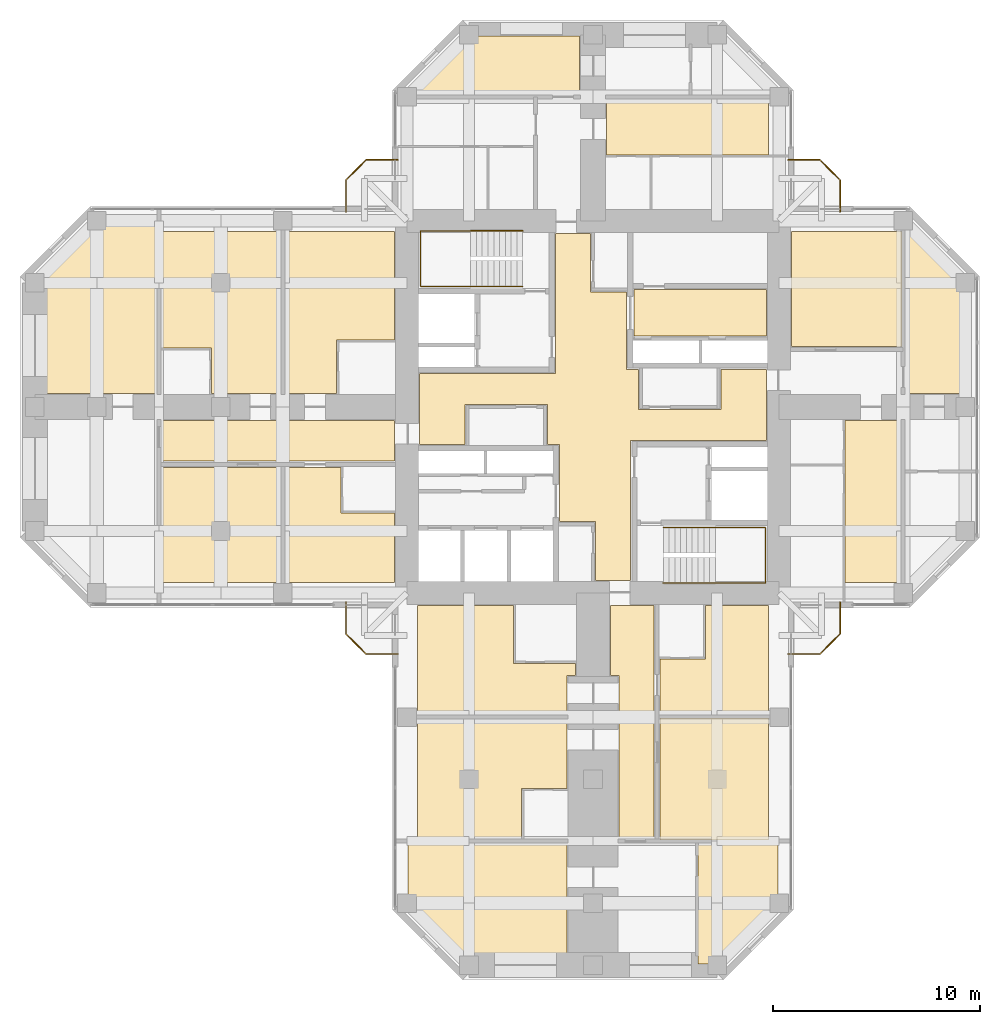
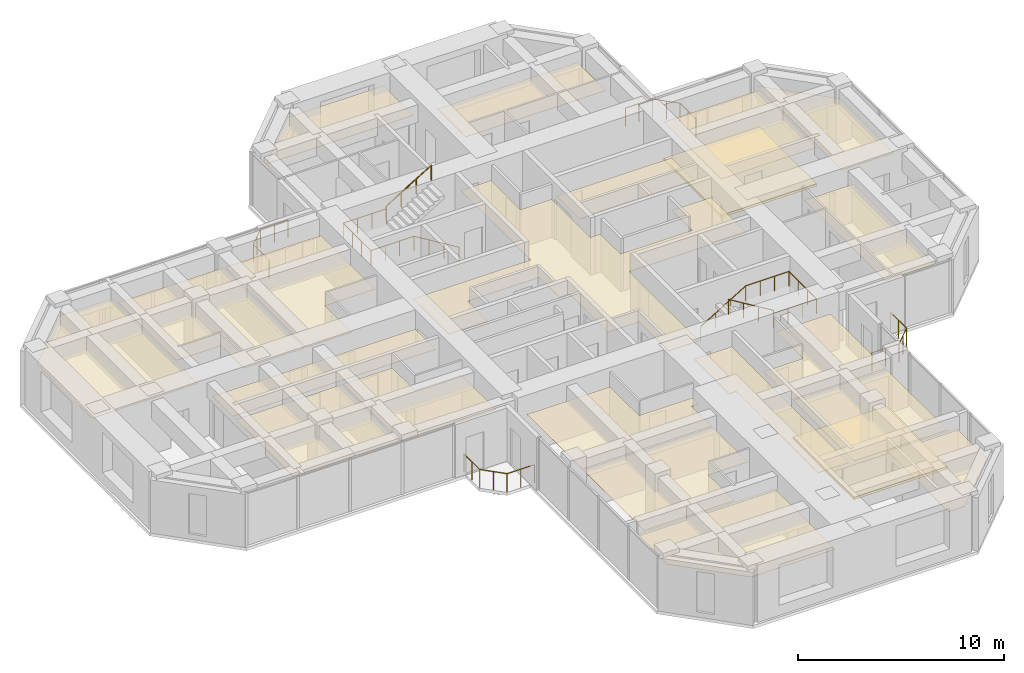
# One storey, part 14 of 14: 22 coverings, 8 railings.
"""IFC4 building model written with IfcOpenShell, lengths in metres."""

from ifc_helpers import new_model, si_unit, direction, frame, origin, origin_2d, place, context, subcontext, project, spatial, polyline, circle, outline, extrude, material, layer, layer_set, constituent, constituent_set, type_object, element, save


model = new_model("IFC4")

# Units and contexts
model_context = context("Model", 3, precision=1e-05, world=origin(), true_north=direction((0.0, 1.0)))
body_context = subcontext(model_context, "Body", "Model", "MODEL_VIEW")
ifc_project = project(units=[si_unit("LENGTHUNIT", "METRE"), si_unit("AREAUNIT", "SQUARE_METRE"), si_unit("VOLUMEUNIT", "CUBIC_METRE"), si_unit("PLANEANGLEUNIT", "RADIAN"), si_unit("MASSUNIT", "GRAM", prefix="KILO")], contexts=[model_context])

# Site, building, storey
site_placement = place(None, origin())
site = spatial("IfcSite", under=ifc_project, at=site_placement, CompositionType="ELEMENT")
building_placement = place(site_placement, origin())
building = spatial("IfcBuilding", under=site, at=building_placement, Name="Torre Cruceta", CompositionType="ELEMENT")
storey_placement = place(building_placement, frame((0.0, 0.0, 213.699951171875)))
storey = spatial("IfcBuildingStorey", under=building, at=storey_placement, Name="L54", CompositionType="ELEMENT", Elevation=213.699951171875)

# Railings
ifc_material_1 = material(Name="Stainless steel 1.4401", Category="steel")
ifc_constituent_1 = constituent(ifc_material_1, Name="Frame")
ifc_material_2 = material(Name="Laminated safety glass", Category="glass")
ifc_constituent_2 = constituent(ifc_material_2, Name="Infill")
ifc_constituent_set_1 = constituent_set(constituents=[ifc_constituent_1, ifc_constituent_2], Name="Stainless steel and laminated glass balustrade")
railing_type_1 = type_object("IfcRailingType", Name="BALCONY BALUSTRADE 1100", PredefinedType="BALUSTRADE", material=ifc_constituent_set_1)
railing_1_placement = place(storey_placement, frame((-9.449951171875, 11.949951171875, 0.0)))
element("IfcRailing", 1, at=railing_1_placement, inside=storey, type_object=railing_type_1, Name="BL1 balcony balustrade L54 N", PredefinedType="BALUSTRADE", context=body_context, shape_type="SweptSolid", body=[
    extrude(circle(Radius=0.02392578125, at=origin_2d()), frame((0.0, 0.0, 1.076171875), z_axis=(-1.0, 0.0, 0.0), x_axis=(0.0, -1.0, 0.0)), (0.0, 0.0, 1.0), 1.529296875),
    extrude(circle(Radius=0.02392578125, at=origin_2d()), frame((-1.529296875, 0.0, 1.076171875), z_axis=(-0.707106781187, -0.707106781187, 0.0), x_axis=(0.707106781187, -0.707106781187, 0.0)), (0.0, 0.0, 1.0), 1.372802734375),
    extrude(circle(Radius=0.02392578125, at=origin_2d()), frame((-2.5, -0.970703125, 1.076171875), z_axis=(0.0, -1.0, 0.0), x_axis=(1.0, 0.0, 0.0)), (0.0, 0.0, 1.0), 1.529296875),
    extrude(circle(Radius=0.02099609375, at=origin_2d()), origin(), (0.0, 0.0, 1.0), 1.052001953125),
    extrude(circle(Radius=0.02099609375, at=origin_2d()), frame((-0.7646484375, 0.0, 0.0)), (0.0, 0.0, 1.0), 1.052001953125),
    extrude(circle(Radius=0.02099609375, at=origin_2d()), frame((-1.529296875, 0.0, 0.0)), (0.0, 0.0, 1.0), 1.052001953125),
    extrude(circle(Radius=0.02099609375, at=origin_2d()), frame((-2.0146484375, -0.4853515625, 0.0)), (0.0, 0.0, 1.0), 1.052001953125),
    extrude(circle(Radius=0.02099609375, at=origin_2d()), frame((-2.5, -0.970703125, 0.0)), (0.0, 0.0, 1.0), 1.052001953125),
    extrude(circle(Radius=0.02099609375, at=origin_2d()), frame((-2.5, -1.7353515625, 0.0)), (0.0, 0.0, 1.0), 1.052001953125),
    extrude(circle(Radius=0.02099609375, at=origin_2d()), frame((-2.5, -2.5, 0.0)), (0.0, 0.0, 1.0), 1.052001953125),
])
railing_2_placement = place(storey_placement, frame((9.449951171875, 11.949951171875, 0.0)))
element("IfcRailing", 2, at=railing_2_placement, inside=storey, type_object=railing_type_1, Name="BL1 balcony balustrade L54 E", PredefinedType="BALUSTRADE", context=body_context, shape_type="SweptSolid", body=[
    extrude(circle(Radius=0.02392578125, at=origin_2d()), frame((0.0, 0.0, 1.076171875), z_axis=(1.0, 0.0, 0.0), x_axis=(0.0, 1.0, 0.0)), (0.0, 0.0, 1.0), 1.529296875),
    extrude(circle(Radius=0.02392578125, at=origin_2d()), frame((1.529296875, 0.0, 1.076171875), z_axis=(0.707106781187, -0.707106781187, 0.0), x_axis=(0.707106781187, 0.707106781187, 0.0)), (0.0, 0.0, 1.0), 1.372802734375),
    extrude(circle(Radius=0.02392578125, at=origin_2d()), frame((2.5, -0.970703125, 1.076171875), z_axis=(0.0, -1.0, 0.0), x_axis=(1.0, 0.0, 0.0)), (0.0, 0.0, 1.0), 1.529296875),
    extrude(circle(Radius=0.02099609375, at=origin_2d()), origin(), (0.0, 0.0, 1.0), 1.052001953125),
    extrude(circle(Radius=0.02099609375, at=origin_2d()), frame((0.7646484375, 0.0, 0.0)), (0.0, 0.0, 1.0), 1.052001953125),
    extrude(circle(Radius=0.02099609375, at=origin_2d()), frame((1.529296875, 0.0, 0.0)), (0.0, 0.0, 1.0), 1.052001953125),
    extrude(circle(Radius=0.02099609375, at=origin_2d()), frame((2.0146484375, -0.4853515625, 0.0)), (0.0, 0.0, 1.0), 1.052001953125),
    extrude(circle(Radius=0.02099609375, at=origin_2d()), frame((2.5, -0.970703125, 0.0)), (0.0, 0.0, 1.0), 1.052001953125),
    extrude(circle(Radius=0.02099609375, at=origin_2d()), frame((2.5, -1.7353515625, 0.0)), (0.0, 0.0, 1.0), 1.052001953125),
    extrude(circle(Radius=0.02099609375, at=origin_2d()), frame((2.5, -2.5, 0.0)), (0.0, 0.0, 1.0), 1.052001953125),
])
railing_3_placement = place(storey_placement, frame((9.449951171875, -11.949951171875, 0.0)))
element("IfcRailing", 3, at=railing_3_placement, inside=storey, type_object=railing_type_1, Name="BL1 balcony balustrade L54 S", PredefinedType="BALUSTRADE", context=body_context, shape_type="SweptSolid", body=[
    extrude(circle(Radius=0.02392578125, at=origin_2d()), frame((0.0, 0.0, 1.076171875), z_axis=(1.0, 0.0, 0.0), x_axis=(0.0, 1.0, 0.0)), (0.0, 0.0, 1.0), 1.529296875),
    extrude(circle(Radius=0.02392578125, at=origin_2d()), frame((1.529296875, 0.0, 1.076171875), z_axis=(0.707106781187, 0.707106781187, 0.0), x_axis=(-0.707106781187, 0.707106781187, 0.0)), (0.0, 0.0, 1.0), 1.372802734375),
    extrude(circle(Radius=0.02392578125, at=origin_2d()), frame((2.5, 0.970703125, 1.076171875), z_axis=(0.0, 1.0, 0.0), x_axis=(-1.0, 0.0, 0.0)), (0.0, 0.0, 1.0), 1.529296875),
    extrude(circle(Radius=0.02099609375, at=origin_2d()), origin(), (0.0, 0.0, 1.0), 1.052001953125),
    extrude(circle(Radius=0.02099609375, at=origin_2d()), frame((0.7646484375, 0.0, 0.0)), (0.0, 0.0, 1.0), 1.052001953125),
    extrude(circle(Radius=0.02099609375, at=origin_2d()), frame((1.529296875, 0.0, 0.0)), (0.0, 0.0, 1.0), 1.052001953125),
    extrude(circle(Radius=0.02099609375, at=origin_2d()), frame((2.0146484375, 0.4853515625, 0.0)), (0.0, 0.0, 1.0), 1.052001953125),
    extrude(circle(Radius=0.02099609375, at=origin_2d()), frame((2.5, 0.970703125, 0.0)), (0.0, 0.0, 1.0), 1.052001953125),
    extrude(circle(Radius=0.02099609375, at=origin_2d()), frame((2.5, 1.7353515625, 0.0)), (0.0, 0.0, 1.0), 1.052001953125),
    extrude(circle(Radius=0.02099609375, at=origin_2d()), frame((2.5, 2.5, 0.0)), (0.0, 0.0, 1.0), 1.052001953125),
])
railing_4_placement = place(storey_placement, frame((-9.449951171875, -11.949951171875, 0.0)))
element("IfcRailing", 4, at=railing_4_placement, inside=storey, type_object=railing_type_1, Name="BL1 balcony balustrade L54 W", PredefinedType="BALUSTRADE", context=body_context, shape_type="SweptSolid", body=[
    extrude(circle(Radius=0.02392578125, at=origin_2d()), frame((0.0, 0.0, 1.076171875), z_axis=(-1.0, 0.0, 0.0), x_axis=(0.0, -1.0, 0.0)), (0.0, 0.0, 1.0), 1.529296875),
    extrude(circle(Radius=0.02392578125, at=origin_2d()), frame((-1.529296875, 0.0, 1.076171875), z_axis=(-0.707106781187, 0.707106781187, 0.0), x_axis=(-0.707106781187, -0.707106781187, 0.0)), (0.0, 0.0, 1.0), 1.372802734375),
    extrude(circle(Radius=0.02392578125, at=origin_2d()), frame((-2.5, 0.970703125, 1.076171875), z_axis=(0.0, 1.0, 0.0), x_axis=(-1.0, 0.0, 0.0)), (0.0, 0.0, 1.0), 1.529296875),
    extrude(circle(Radius=0.02099609375, at=origin_2d()), origin(), (0.0, 0.0, 1.0), 1.052001953125),
    extrude(circle(Radius=0.02099609375, at=origin_2d()), frame((-0.7646484375, 0.0, 0.0)), (0.0, 0.0, 1.0), 1.052001953125),
    extrude(circle(Radius=0.02099609375, at=origin_2d()), frame((-1.529296875, 0.0, 0.0)), (0.0, 0.0, 1.0), 1.052001953125),
    extrude(circle(Radius=0.02099609375, at=origin_2d()), frame((-2.0146484375, 0.4853515625, 0.0)), (0.0, 0.0, 1.0), 1.052001953125),
    extrude(circle(Radius=0.02099609375, at=origin_2d()), frame((-2.5, 0.970703125, 0.0)), (0.0, 0.0, 1.0), 1.052001953125),
    extrude(circle(Radius=0.02099609375, at=origin_2d()), frame((-2.5, 1.7353515625, 0.0)), (0.0, 0.0, 1.0), 1.052001953125),
    extrude(circle(Radius=0.02099609375, at=origin_2d()), frame((-2.5, 2.5, 0.0)), (0.0, 0.0, 1.0), 1.052001953125),
])
ifc_material_3 = material(Name="Stainless steel 1.4401", Category="steel")
railing_type_2 = type_object("IfcRailingType", Name="HANDRAIL 900", PredefinedType="HANDRAIL", material=ifc_material_3)
railing_5_placement = place(storey_placement, frame((-3.39990234375, 5.8349609375, 0.170166015625)))
element("IfcRailing", 5, at=railing_5_placement, inside=storey, type_object=railing_type_2, Name="Handrail HR1 ST1 L54", PredefinedType="HANDRAIL", context=body_context, shape_type="SweptSolid", body=[
    extrude(circle(Radius=0.02392578125, at=origin_2d()), frame((0.0, 0.0, 0.8759765625), z_axis=(-0.854821627497, 0.0, 0.518921945155), x_axis=(0.0, -1.0, 0.0)), (0.0, 0.0, 1.0), 2.947998046875),
    extrude(circle(Radius=0.02392578125, at=origin_2d()), frame((-2.52001953125, 0.0, 2.40576171875), z_axis=(-1.0, 0.0, 0.0), x_axis=(0.0, -1.0, 0.0)), (0.0, 0.0, 1.0), 2.420166015625),
    extrude(circle(Radius=0.02392578125, at=origin_2d()), frame((-4.940185546875, 0.0, 2.40576171875), z_axis=(0.0, 1.0, 0.0), x_axis=(-1.0, 0.0, 0.0)), (0.0, 0.0, 1.0), 2.679931640625),
    extrude(circle(Radius=0.02392578125, at=origin_2d()), frame((-4.940185546875, 2.679931640625, 2.40576171875), z_axis=(1.0, 0.0, 0.0), x_axis=(0.0, 1.0, 0.0)), (0.0, 0.0, 1.0), 2.420166015625),
    extrude(circle(Radius=0.02099609375, at=origin_2d()), origin(), (0.0, 0.0, 1.0), 0.851806640625),
    extrude(circle(Radius=0.02099609375, at=origin_2d()), frame((-0.840087890625, 0.0, 0.510009765625)), (0.0, 0.0, 1.0), 0.851806640625),
    extrude(circle(Radius=0.02099609375, at=origin_2d()), frame((-1.679931640625, 0.0, 1.019775390625)), (0.0, 0.0, 1.0), 0.851806640625),
    extrude(circle(Radius=0.02099609375, at=origin_2d()), frame((-2.52001953125, 0.0, 1.52978515625)), (0.0, 0.0, 1.0), 0.851806640625),
    extrude(circle(Radius=0.02099609375, at=origin_2d()), frame((-3.32666015625, 0.0, 1.52978515625)), (0.0, 0.0, 1.0), 0.851806640625),
    extrude(circle(Radius=0.02099609375, at=origin_2d()), frame((-4.133544921875, 0.0, 1.52978515625)), (0.0, 0.0, 1.0), 0.851806640625),
    extrude(circle(Radius=0.02099609375, at=origin_2d()), frame((-4.940185546875, 0.0, 1.52978515625)), (0.0, 0.0, 1.0), 0.851806640625),
    extrude(circle(Radius=0.02099609375, at=origin_2d()), frame((-4.940185546875, 0.893310546875, 1.52978515625)), (0.0, 0.0, 1.0), 0.851806640625),
    extrude(circle(Radius=0.02099609375, at=origin_2d()), frame((-4.940185546875, 1.78662109375, 1.52978515625)), (0.0, 0.0, 1.0), 0.851806640625),
    extrude(circle(Radius=0.02099609375, at=origin_2d()), frame((-4.940185546875, 2.679931640625, 1.52978515625)), (0.0, 0.0, 1.0), 0.851806640625),
    extrude(circle(Radius=0.02099609375, at=origin_2d()), frame((-4.133544921875, 2.679931640625, 1.52978515625)), (0.0, 0.0, 1.0), 0.851806640625),
    extrude(circle(Radius=0.02099609375, at=origin_2d()), frame((-3.32666015625, 2.679931640625, 1.52978515625)), (0.0, 0.0, 1.0), 0.851806640625),
    extrude(circle(Radius=0.02099609375, at=origin_2d()), frame((-2.52001953125, 2.679931640625, 1.52978515625)), (0.0, 0.0, 1.0), 0.851806640625),
])
railing_6_placement = place(storey_placement, frame((-5.919921875, 8.514892578125, 1.8701171875)))
element("IfcRailing", 6, at=railing_6_placement, inside=storey, type_object=railing_type_2, Name="Handrail HR1 ST1 L54", PredefinedType="HANDRAIL", context=body_context, shape_type="SweptSolid", body=[
    extrude(circle(Radius=0.02392578125, at=origin_2d()), frame((0.0, 0.0, 0.8759765625), z_axis=(0.85478489116, 0.0, 0.518982456201), x_axis=(0.0, 1.0, 0.0)), (0.0, 0.0, 1.0), 2.9482421875),
    extrude(circle(Radius=0.02099609375, at=origin_2d()), origin(), (0.0, 0.0, 1.0), 0.851806640625),
    extrude(circle(Radius=0.02099609375, at=origin_2d()), frame((0.840087890625, 0.0, 0.510009765625)), (0.0, 0.0, 1.0), 0.851806640625),
    extrude(circle(Radius=0.02099609375, at=origin_2d()), frame((1.679931640625, 0.0, 1.02001953125)), (0.0, 0.0, 1.0), 0.851806640625),
    extrude(circle(Radius=0.02099609375, at=origin_2d()), frame((2.52001953125, 0.0, 1.530029296875)), (0.0, 0.0, 1.0), 0.851806640625),
])
railing_7_placement = place(storey_placement, frame((3.39990234375, -5.8349609375, 0.170166015625)))
element("IfcRailing", 7, at=railing_7_placement, inside=storey, type_object=railing_type_2, Name="Handrail HR1 ST2 L54", PredefinedType="HANDRAIL", context=body_context, shape_type="SweptSolid", body=[
    extrude(circle(Radius=0.02392578125, at=origin_2d()), frame((0.0, 0.0, 0.8759765625), z_axis=(0.854821627497, 0.0, 0.518921945155), x_axis=(0.0, 1.0, 0.0)), (0.0, 0.0, 1.0), 2.947998046875),
    extrude(circle(Radius=0.02392578125, at=origin_2d()), frame((2.52001953125, 0.0, 2.40576171875), z_axis=(1.0, 0.0, 0.0), x_axis=(0.0, 1.0, 0.0)), (0.0, 0.0, 1.0), 2.420166015625),
    extrude(circle(Radius=0.02392578125, at=origin_2d()), frame((4.940185546875, 0.0, 2.40576171875), z_axis=(0.0, -1.0, 0.0), x_axis=(1.0, 0.0, 0.0)), (0.0, 0.0, 1.0), 2.679931640625),
    extrude(circle(Radius=0.02392578125, at=origin_2d()), frame((4.940185546875, -2.679931640625, 2.40576171875), z_axis=(-1.0, 0.0, 0.0), x_axis=(0.0, -1.0, 0.0)), (0.0, 0.0, 1.0), 2.420166015625),
    extrude(circle(Radius=0.02099609375, at=origin_2d()), origin(), (0.0, 0.0, 1.0), 0.851806640625),
    extrude(circle(Radius=0.02099609375, at=origin_2d()), frame((0.840087890625, 0.0, 0.510009765625)), (0.0, 0.0, 1.0), 0.851806640625),
    extrude(circle(Radius=0.02099609375, at=origin_2d()), frame((1.679931640625, 0.0, 1.019775390625)), (0.0, 0.0, 1.0), 0.851806640625),
    extrude(circle(Radius=0.02099609375, at=origin_2d()), frame((2.52001953125, 0.0, 1.52978515625)), (0.0, 0.0, 1.0), 0.851806640625),
    extrude(circle(Radius=0.02099609375, at=origin_2d()), frame((3.32666015625, 0.0, 1.52978515625)), (0.0, 0.0, 1.0), 0.851806640625),
    extrude(circle(Radius=0.02099609375, at=origin_2d()), frame((4.133544921875, 0.0, 1.52978515625)), (0.0, 0.0, 1.0), 0.851806640625),
    extrude(circle(Radius=0.02099609375, at=origin_2d()), frame((4.940185546875, 0.0, 1.52978515625)), (0.0, 0.0, 1.0), 0.851806640625),
    extrude(circle(Radius=0.02099609375, at=origin_2d()), frame((4.940185546875, -0.893310546875, 1.52978515625)), (0.0, 0.0, 1.0), 0.851806640625),
    extrude(circle(Radius=0.02099609375, at=origin_2d()), frame((4.940185546875, -1.78662109375, 1.52978515625)), (0.0, 0.0, 1.0), 0.851806640625),
    extrude(circle(Radius=0.02099609375, at=origin_2d()), frame((4.940185546875, -2.679931640625, 1.52978515625)), (0.0, 0.0, 1.0), 0.851806640625),
    extrude(circle(Radius=0.02099609375, at=origin_2d()), frame((4.133544921875, -2.679931640625, 1.52978515625)), (0.0, 0.0, 1.0), 0.851806640625),
    extrude(circle(Radius=0.02099609375, at=origin_2d()), frame((3.32666015625, -2.679931640625, 1.52978515625)), (0.0, 0.0, 1.0), 0.851806640625),
    extrude(circle(Radius=0.02099609375, at=origin_2d()), frame((2.52001953125, -2.679931640625, 1.52978515625)), (0.0, 0.0, 1.0), 0.851806640625),
])
railing_8_placement = place(storey_placement, frame((5.919921875, -8.514892578125, 1.8701171875)))
element("IfcRailing", 8, at=railing_8_placement, inside=storey, type_object=railing_type_2, Name="Handrail HR1 ST2 L54", PredefinedType="HANDRAIL", context=body_context, shape_type="SweptSolid", body=[
    extrude(circle(Radius=0.02392578125, at=origin_2d()), frame((0.0, 0.0, 0.8759765625), z_axis=(-0.85478489116, 0.0, 0.518982456201), x_axis=(0.0, -1.0, 0.0)), (0.0, 0.0, 1.0), 2.9482421875),
    extrude(circle(Radius=0.02099609375, at=origin_2d()), origin(), (0.0, 0.0, 1.0), 0.851806640625),
    extrude(circle(Radius=0.02099609375, at=origin_2d()), frame((-0.840087890625, 0.0, 0.510009765625)), (0.0, 0.0, 1.0), 0.851806640625),
    extrude(circle(Radius=0.02099609375, at=origin_2d()), frame((-1.679931640625, 0.0, 1.02001953125)), (0.0, 0.0, 1.0), 0.851806640625),
    extrude(circle(Radius=0.02099609375, at=origin_2d()), frame((-2.52001953125, 0.0, 1.530029296875)), (0.0, 0.0, 1.0), 0.851806640625),
])

# Coverings
ifc_material_4 = material(Name="Steel DX51D", Category="steel")
ifc_constituent_3 = constituent(ifc_material_4, Name="Panel casing")
ifc_material_5 = material(Name="Calcium sulphate", Category="gypsum")
ifc_constituent_4 = constituent(ifc_material_5, Name="Panel core")
ifc_constituent_set_2 = constituent_set(constituents=[ifc_constituent_3, ifc_constituent_4], Name="Raised access floor panel")
covering_type_1 = type_object("IfcCoveringType", Name="RAISED ACCESS FLOOR 150", PredefinedType="FLOORING", material=ifc_constituent_set_2)
covering_1_placement = place(storey_placement, origin())
element("IfcCovering", 9, at=covering_1_placement, inside=storey, type_object=covering_type_1, Name="Raised floor L54-036", PredefinedType="FLOORING", context=body_context, shape_type="SweptSolid", body=[
    extrude(outline(polyline([(9.60009765625, 2.925048828125), (9.60009765625, 8.5), (14.949951171875, 8.5), (14.949951171875, 2.925048828125), (9.60009765625, 2.925048828125)])), origin(), (0.0, 0.0, 1.0), 0.150146484375),
])
covering_2_placement = place(storey_placement, origin())
element("IfcCovering", 10, at=covering_2_placement, inside=storey, type_object=covering_type_1, Name="Raised floor L54-048", PredefinedType="FLOORING", context=body_context, shape_type="SweptSolid", body=[
    extrude(outline(polyline([(3.25, -15.050048828125), (8.5, -15.050048828125), (8.5, -20.949951171875), (3.25, -20.949951171875), (3.25, -15.050048828125)])), origin(), (0.0, 0.0, 1.0), 0.150146484375),
])
ifc_material_6 = material(Name="Mineral fibre ceiling tile", Category="gypsum")
ifc_layer = layer(ifc_material_6, 0.02001953125)
ifc_layer_set = layer_set([ifc_layer], Name="Mineral fibre ceiling tile")
covering_type_2 = type_object("IfcCoveringType", Name="SUSPENDED CEILING 20", PredefinedType="CEILING", material=ifc_layer_set)
covering_3_placement = place(storey_placement, frame((0.0, 0.0, 2.280029296875)))
element("IfcCovering", 11, at=covering_3_placement, inside=storey, type_object=covering_type_2, Name="Ceiling L54-002", PredefinedType="CEILING", context=body_context, shape_type="SweptSolid", body=[
    extrude(outline(polyline([(1.824951171875, -8.39990234375), (0.125, -8.39990234375), (0.125, -5.550048828125), (-1.625, -5.550048828125), (-1.625, -1.824951171875), (-2.199951171875, -1.824951171875), (-2.199951171875, 0.125), (-6.199951171875, 0.125), (-6.199951171875, -1.824951171875), (-8.39990234375, -1.824951171875), (-8.39990234375, 1.625), (-1.824951171875, 1.625), (-1.824951171875, 8.39990234375), (-0.125, 8.39990234375), (-0.125, 5.550048828125), (1.625, 5.550048828125), (1.625, 1.824951171875), (2.199951171875, 1.824951171875), (2.199951171875, -0.125), (6.199951171875, -0.125), (6.199951171875, 1.824951171875), (8.39990234375, 1.824951171875), (8.39990234375, -1.625), (1.824951171875, -1.625), (1.824951171875, -8.39990234375)])), origin(), (0.0, 0.0, 1.0), 0.02001953125),
])
covering_4_placement = place(storey_placement, frame((0.0, 0.0, 2.280029296875)))
element("IfcCovering", 12, at=covering_4_placement, inside=storey, type_object=covering_type_2, Name="Ceiling L54-007", PredefinedType="CEILING", context=body_context, shape_type="SweptSolid", body=[
    extrude(outline(polyline([(1.97509765625, 3.425048828125), (1.97509765625, 5.675048828125), (8.39990234375, 5.675048828125), (8.39990234375, 3.425048828125), (1.97509765625, 3.425048828125)])), origin(), (0.0, 0.0, 1.0), 0.02001953125),
])
covering_5_placement = place(storey_placement, frame((0.0, 0.0, 2.280029296875)))
element("IfcCovering", 13, at=covering_5_placement, inside=storey, type_object=covering_type_2, Name="Ceiling L54-029", PredefinedType="CEILING", context=body_context, shape_type="SweptSolid", body=[
    extrude(outline(polyline([(8.5, 14.949951171875), (8.5, 12.199951171875), (0.64990234375, 12.199951171875), (0.64990234375, 14.949951171875), (8.5, 14.949951171875)])), origin(), (0.0, 0.0, 1.0), 0.02001953125),
])
covering_6_placement = place(storey_placement, frame((0.0, 0.0, 2.280029296875)))
element("IfcCovering", 14, at=covering_6_placement, inside=storey, type_object=covering_type_2, Name="Ceiling L54-032", PredefinedType="CEILING", context=body_context, shape_type="SweptSolid", body=[
    extrude(outline(polyline([(-5.979248046875, 17.949951171875), (-0.64990234375, 17.949951171875), (-0.64990234375, 15.050048828125), (-8.87939453125, 15.050048828125), (-5.979248046875, 17.949951171875)])), origin(), (0.0, 0.0, 1.0), 0.02001953125),
])
covering_7_placement = place(storey_placement, frame((0.0, 0.0, 2.280029296875)))
element("IfcCovering", 15, at=covering_7_placement, inside=storey, type_object=covering_type_2, Name="Ceiling L54-036", PredefinedType="CEILING", context=body_context, shape_type="SweptSolid", body=[
    extrude(outline(polyline([(9.60009765625, 2.925048828125), (9.60009765625, 8.5), (14.949951171875, 8.5), (14.949951171875, 2.925048828125), (9.60009765625, 2.925048828125)])), origin(), (0.0, 0.0, 1.0), 0.02001953125),
])
covering_8_placement = place(storey_placement, frame((0.0, 0.0, 2.280029296875)))
element("IfcCovering", 16, at=covering_8_placement, inside=storey, type_object=covering_type_2, Name="Ceiling L54-037", PredefinedType="CEILING", context=body_context, shape_type="SweptSolid", body=[
    extrude(outline(polyline([(14.949951171875, -8.5), (12.199951171875, -8.5), (12.199951171875, -0.64990234375), (14.949951171875, -0.64990234375), (14.949951171875, -8.5)])), origin(), (0.0, 0.0, 1.0), 0.02001953125),
])
covering_9_placement = place(storey_placement, frame((0.0, 0.0, 2.280029296875)))
element("IfcCovering", 17, at=covering_9_placement, inside=storey, type_object=covering_type_2, Name="Ceiling L54-040", PredefinedType="CEILING", context=body_context, shape_type="SweptSolid", body=[
    extrude(outline(polyline([(17.949951171875, 5.979248046875), (17.949951171875, 0.64990234375), (15.050048828125, 0.64990234375), (15.050048828125, 8.87939453125), (17.949951171875, 5.979248046875)])), origin(), (0.0, 0.0, 1.0), 0.02001953125),
])
covering_10_placement = place(storey_placement, frame((0.0, 0.0, 2.280029296875)))
element("IfcCovering", 18, at=covering_10_placement, inside=storey, type_object=covering_type_2, Name="Ceiling L54-043", PredefinedType="CEILING", context=body_context, shape_type="SweptSolid", body=[
    extrude(outline(polyline([(0.85009765625, -9.60009765625), (2.949951171875, -9.60009765625), (2.949951171875, -20.949951171875), (1.25, -20.949951171875), (1.25, -13.0), (0.85009765625, -13.0), (0.85009765625, -9.60009765625)])), origin(), (0.0, 0.0, 1.0), 0.02001953125),
])
covering_11_placement = place(storey_placement, frame((0.0, 0.0, 2.280029296875)))
element("IfcCovering", 19, at=covering_11_placement, inside=storey, type_object=covering_type_2, Name="Ceiling L54-044", PredefinedType="CEILING", context=body_context, shape_type="SweptSolid", body=[
    extrude(outline(polyline([(8.5, -9.60009765625), (8.5, -14.949951171875), (3.25, -14.949951171875), (3.25, -12.199951171875), (5.449951171875, -12.199951171875), (5.449951171875, -9.60009765625), (8.5, -9.60009765625)])), origin(), (0.0, 0.0, 1.0), 0.02001953125),
])
covering_12_placement = place(storey_placement, frame((0.0, 0.0, 2.280029296875)))
element("IfcCovering", 20, at=covering_12_placement, inside=storey, type_object=covering_type_2, Name="Ceiling L54-046", PredefinedType="CEILING", context=body_context, shape_type="SweptSolid", body=[
    extrude(outline(polyline([(-8.5, -14.949951171875), (-8.5, -9.60009765625), (-3.85009765625, -9.60009765625), (-3.85009765625, -12.39990234375), (-0.85009765625, -12.39990234375), (-0.85009765625, -13.0), (-1.25, -13.0), (-1.25, -14.949951171875), (-8.5, -14.949951171875)])), origin(), (0.0, 0.0, 1.0), 0.02001953125),
])
covering_13_placement = place(storey_placement, frame((0.0, 0.0, 2.280029296875)))
element("IfcCovering", 21, at=covering_13_placement, inside=storey, type_object=covering_type_2, Name="Ceiling L54-048", PredefinedType="CEILING", context=body_context, shape_type="SweptSolid", body=[
    extrude(outline(polyline([(3.25, -15.050048828125), (8.5, -15.050048828125), (8.5, -20.949951171875), (3.25, -20.949951171875), (3.25, -15.050048828125)])), origin(), (0.0, 0.0, 1.0), 0.02001953125),
])
covering_14_placement = place(storey_placement, frame((0.0, 0.0, 2.280029296875)))
element("IfcCovering", 22, at=covering_14_placement, inside=storey, type_object=covering_type_2, Name="Ceiling L54-049", PredefinedType="CEILING", context=body_context, shape_type="SweptSolid", body=[
    extrude(outline(polyline([(-8.5, -15.050048828125), (-1.25, -15.050048828125), (-1.25, -18.449951171875), (-3.449951171875, -18.449951171875), (-3.449951171875, -20.949951171875), (-8.5, -20.949951171875), (-8.5, -15.050048828125)])), origin(), (0.0, 0.0, 1.0), 0.02001953125),
])
covering_15_placement = place(storey_placement, frame((0.0, 0.0, 2.280029296875)))
element("IfcCovering", 23, at=covering_15_placement, inside=storey, type_object=covering_type_2, Name="Ceiling L54-052", PredefinedType="CEILING", context=body_context, shape_type="SweptSolid", body=[
    extrude(outline(polyline([(8.949951171875, -23.979248046875), (5.979248046875, -26.949951171875), (5.074951171875, -26.949951171875), (5.074951171875, -21.050048828125), (8.949951171875, -21.050048828125), (8.949951171875, -23.979248046875)])), origin(), (0.0, 0.0, 1.0), 0.02001953125),
])
covering_16_placement = place(storey_placement, frame((0.0, 0.0, 2.280029296875)))
element("IfcCovering", 24, at=covering_16_placement, inside=storey, type_object=covering_type_2, Name="Ceiling L54-053", PredefinedType="CEILING", context=body_context, shape_type="SweptSolid", body=[
    extrude(outline(polyline([(-8.949951171875, -23.979248046875), (-8.949951171875, -21.050048828125), (-1.25, -21.050048828125), (-1.25, -26.949951171875), (-5.979248046875, -26.949951171875), (-8.949951171875, -23.979248046875)])), origin(), (0.0, 0.0, 1.0), 0.02001953125),
])
covering_17_placement = place(storey_placement, frame((0.0, 0.0, 2.280029296875)))
element("IfcCovering", 25, at=covering_17_placement, inside=storey, type_object=covering_type_2, Name="Ceiling L54-054", PredefinedType="CEILING", context=body_context, shape_type="SweptSolid", body=[
    extrude(outline(polyline([(-9.60009765625, -0.64990234375), (-9.60009765625, -2.625), (-20.949951171875, -2.625), (-20.949951171875, -0.64990234375), (-9.60009765625, -0.64990234375)])), origin(), (0.0, 0.0, 1.0), 0.02001953125),
])
covering_18_placement = place(storey_placement, frame((0.0, 0.0, 2.280029296875)))
element("IfcCovering", 26, at=covering_18_placement, inside=storey, type_object=covering_type_2, Name="Ceiling L54-055", PredefinedType="CEILING", context=body_context, shape_type="SweptSolid", body=[
    extrude(outline(polyline([(-9.60009765625, -8.5), (-14.949951171875, -8.5), (-14.949951171875, -2.925048828125), (-12.199951171875, -2.925048828125), (-12.199951171875, -5.125), (-9.60009765625, -5.125), (-9.60009765625, -8.5)])), origin(), (0.0, 0.0, 1.0), 0.02001953125),
])
covering_19_placement = place(storey_placement, frame((0.0, 0.0, 2.280029296875)))
element("IfcCovering", 27, at=covering_19_placement, inside=storey, type_object=covering_type_2, Name="Ceiling L54-057", PredefinedType="CEILING", context=body_context, shape_type="SweptSolid", body=[
    extrude(outline(polyline([(-14.949951171875, 0.64990234375), (-14.949951171875, 8.5), (-9.60009765625, 8.5), (-9.60009765625, 3.25), (-12.39990234375, 3.25), (-12.39990234375, 0.64990234375), (-14.949951171875, 0.64990234375)])), origin(), (0.0, 0.0, 1.0), 0.02001953125),
])
covering_20_placement = place(storey_placement, frame((0.0, 0.0, 2.280029296875)))
element("IfcCovering", 28, at=covering_20_placement, inside=storey, type_object=covering_type_2, Name="Ceiling L54-059", PredefinedType="CEILING", context=body_context, shape_type="SweptSolid", body=[
    extrude(outline(polyline([(-15.050048828125, -2.925048828125), (-15.050048828125, -8.5), (-20.949951171875, -8.5), (-20.949951171875, -2.925048828125), (-15.050048828125, -2.925048828125)])), origin(), (0.0, 0.0, 1.0), 0.02001953125),
])
covering_21_placement = place(storey_placement, frame((0.0, 0.0, 2.280029296875)))
element("IfcCovering", 29, at=covering_21_placement, inside=storey, type_object=covering_type_2, Name="Ceiling L54-060", PredefinedType="CEILING", context=body_context, shape_type="SweptSolid", body=[
    extrude(outline(polyline([(-20.949951171875, 8.5), (-15.050048828125, 8.5), (-15.050048828125, 0.64990234375), (-18.449951171875, 0.64990234375), (-18.449951171875, 2.85009765625), (-20.949951171875, 2.85009765625), (-20.949951171875, 8.5)])), origin(), (0.0, 0.0, 1.0), 0.02001953125),
])
covering_22_placement = place(storey_placement, frame((0.0, 0.0, 2.280029296875)))
element("IfcCovering", 30, at=covering_22_placement, inside=storey, type_object=covering_type_2, Name="Ceiling L54-063", PredefinedType="CEILING", context=body_context, shape_type="SweptSolid", body=[
    extrude(outline(polyline([(-23.979248046875, 8.949951171875), (-21.050048828125, 8.949951171875), (-21.050048828125, 0.64990234375), (-26.949951171875, 0.64990234375), (-26.949951171875, 5.979248046875), (-23.979248046875, 8.949951171875)])), origin(), (0.0, 0.0, 1.0), 0.02001953125),
])

save(model, "model.ifc")
